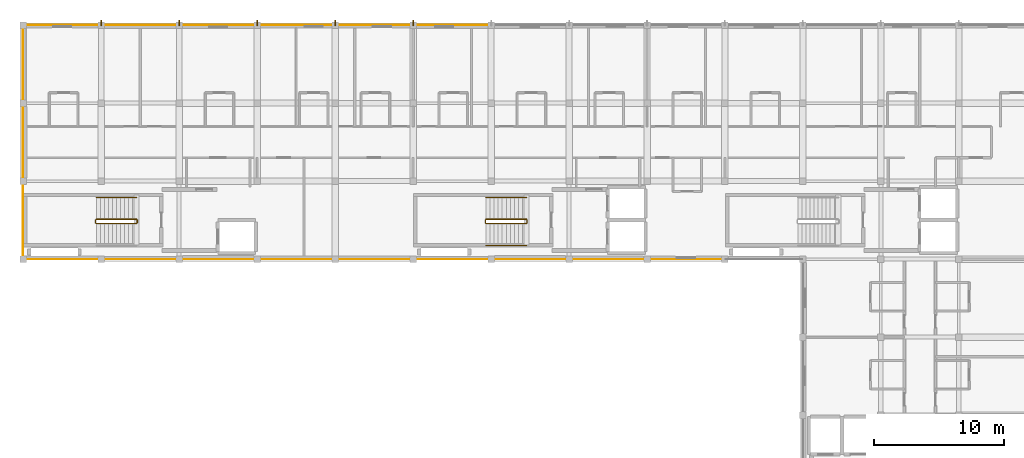
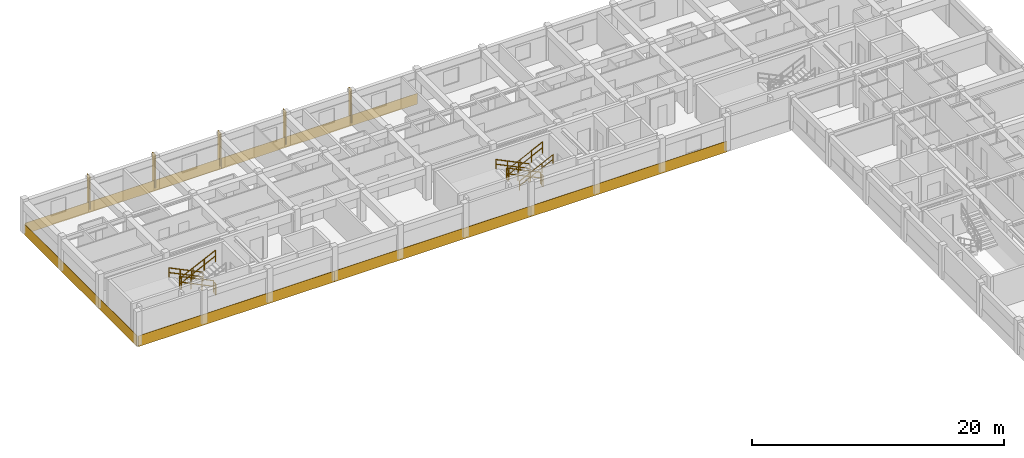
# One storey, part 14 of 15: 11 railings, 6 coverings, 5 shading devices.
"""IFC4 building model written with IfcOpenShell, lengths in metres."""

from ifc_helpers import new_model, si_unit, direction, frame, origin, origin_2d, place, context, subcontext, project, spatial, polyline, rectangle, circle, outline, extrude, material, layer, layer_set, type_object, element, save


model = new_model("IFC4")

# Units and contexts
model_context = context("Model", 3, precision=1e-05, world=origin(), true_north=direction((0.0, 1.0)))
body_context = subcontext(model_context, "Body", "Model", "MODEL_VIEW")
ifc_project = project(units=[si_unit("LENGTHUNIT", "METRE"), si_unit("AREAUNIT", "SQUARE_METRE"), si_unit("VOLUMEUNIT", "CUBIC_METRE"), si_unit("PLANEANGLEUNIT", "RADIAN"), si_unit("MASSUNIT", "GRAM", prefix="KILO"), si_unit("THERMODYNAMICTEMPERATUREUNIT", "KELVIN"), si_unit("POWERUNIT", "WATT")], contexts=[model_context])

# Site, building, storey
site_placement = place(None, origin())
site = spatial("IfcSite", under=ifc_project, at=site_placement, CompositionType="ELEMENT")
building_placement = place(site_placement, origin())
building = spatial("IfcBuilding", under=site, at=building_placement, Name="Phaisarnlok Congress Hotel", CompositionType="ELEMENT")
storey_placement = place(building_placement, frame((0.0, 0.0, 41.39990234375)))
storey = spatial("IfcBuildingStorey", under=building, at=storey_placement, Name="L10", CompositionType="ELEMENT", Elevation=41.39990234375)

# Coverings
ifc_material_1 = material(Name="Anodised Silver Aluminium Alloy 6063-T6", Category="aluminium")
ifc_layer_1 = layer(ifc_material_1, 0.031982421875, Name="Anodised Silver Aluminium Alloy 6063-T6")
ifc_layer_set_1 = layer_set([ifc_layer_1], Name="Anodised Silver Aluminium Alloy 6063-T6")
covering_type = type_object("IfcCoveringType", Name="COV-SPAND-ALU", PredefinedType="CLADDING", material=ifc_layer_set_1)
for number, where, z_axis, x_axis, name in (
    (1, (120.06005859375, 125.9951171875, -0.27978515625), (0.0, 1.0, 0.0), (-1.0, 0.0, 0.0), "Swiss minimalist anodised silver rainscreen band CL-02 (L10 N)"),
    (2, (138.06005859375, 125.9951171875, -0.27978515625), (0.0, 1.0, 0.0), (-1.0, 0.0, 0.0), "Swiss minimalist anodised silver rainscreen band CL-02 (L10 N)"),
    (3, (102.06005859375, 108.0048828125, -0.27978515625), (0.0, -1.0, 0.0), (1.0, 0.0, 0.0), "Swiss minimalist anodised silver rainscreen band CL-02 (L10 S)"),
    (4, (120.06005859375, 108.0048828125, -0.27978515625), (0.0, -1.0, 0.0), (1.0, 0.0, 0.0), "Swiss minimalist anodised silver rainscreen band CL-02 (L10 S)"),
    (5, (138.06005859375, 108.0048828125, -0.27978515625), (0.0, -1.0, 0.0), (1.0, 0.0, 0.0), "Swiss minimalist anodised silver rainscreen band CL-02 (L10 S)"),
):
    element("IfcCovering", number, at=place(storey_placement, frame(where, z_axis=z_axis, x_axis=x_axis)), inside=storey, type_object=covering_type, Name=name, PredefinedType="CLADDING", context=body_context, shape_type="SweptSolid", body=[
        extrude(outline(polyline([(0.0, 0.0), (18.0, 0.0), (18.0, 1.0498046875), (0.0, 1.0498046875), (0.0, 0.0)])), origin(), (0.0, 0.0, 1.0), 0.031982421875),
    ])
covering_placement = place(storey_placement, frame((102.0048828125, 125.93994140625, -0.27978515625), z_axis=(-1.0, 0.0, 0.0), x_axis=(0.0, -1.0, 0.0)))
element("IfcCovering", 6, at=covering_placement, inside=storey, type_object=covering_type, Name="Swiss minimalist anodised silver rainscreen band CL-02 (L10 WG)", PredefinedType="CLADDING", context=body_context, shape_type="SweptSolid", body=[
    extrude(outline(polyline([(0.0, 0.0), (17.8798828125, 0.0), (17.8798828125, 1.0498046875), (0.0, 1.0498046875), (0.0, 0.0)])), origin(), (0.0, 0.0, 1.0), 0.031982421875),
])

# Railings
ifc_material_2 = material(Name="Painted Galvanised Steel S275", Category="steel")
railing_type_1 = type_object("IfcRailingType", Name="RLG-STR-GUARD", PredefinedType="BALUSTRADE", material=ifc_material_2)
railing_1_placement = place(storey_placement, frame((140.719970703125, 111.070068359375, 0.150146484375)))
element("IfcRailing", 7, at=railing_1_placement, inside=storey, type_object=railing_type_1, Name="L10 ST-06 stair guard 1", PredefinedType="BALUSTRADE", context=body_context, shape_type="SweptSolid", body=[
    extrude(circle(Radius=0.02392578125, at=origin_2d()), frame((0.0, 0.0, 1.076171875), z_axis=(-0.900151181449, 0.0, 0.435577605641), x_axis=(0.0, -1.0, 0.0)), (0.0, 0.0, 1.0), 3.443603515625),
    extrude(circle(Radius=0.02392578125, at=origin_2d()), frame((0.0, 0.0, 0.52587890625), z_axis=(-0.900151181449, 0.0, 0.435577605641), x_axis=(0.0, -1.0, 0.0)), (0.0, 0.0, 1.0), 3.443603515625),
    extrude(circle(Radius=0.02099609375, at=origin_2d()), origin(), (0.0, 0.0, 1.0), 1.052001953125),
    extrude(circle(Radius=0.02099609375, at=origin_2d()), frame((-1.033203125, 0.0, 0.5)), (0.0, 0.0, 1.0), 1.052001953125),
    extrude(circle(Radius=0.02099609375, at=origin_2d()), frame((-2.066650390625, 0.0, 1.0)), (0.0, 0.0, 1.0), 1.052001953125),
    extrude(circle(Radius=0.02099609375, at=origin_2d()), frame((-3.099853515625, 0.0, 1.5)), (0.0, 0.0, 1.0), 1.052001953125),
])
railing_2_placement = place(storey_placement, frame((137.570068359375, 111.02001953125, 1.650146484375)))
element("IfcRailing", 8, at=railing_2_placement, inside=storey, type_object=railing_type_1, Name="L10 ST-06 stair guard 2", PredefinedType="BALUSTRADE", context=body_context, shape_type="SweptSolid", body=[
    extrude(circle(Radius=0.02392578125, at=origin_2d()), frame((0.0, 0.0, 1.076171875), z_axis=(0.0, -1.0, 0.0), x_axis=(1.0, 0.0, 0.0)), (0.0, 0.0, 1.0), 0.239990234375),
    extrude(circle(Radius=0.02392578125, at=origin_2d()), frame((0.0, 0.0, 0.52587890625), z_axis=(0.0, -1.0, 0.0), x_axis=(1.0, 0.0, 0.0)), (0.0, 0.0, 1.0), 0.239990234375),
    extrude(circle(Radius=0.02099609375, at=origin_2d()), origin(), (0.0, 0.0, 1.0), 1.052001953125),
    extrude(circle(Radius=0.02099609375, at=origin_2d()), frame((0.0, -0.239990234375, 0.0)), (0.0, 0.0, 1.0), 1.052001953125),
])
railing_3_placement = place(storey_placement, frame((137.6201171875, 110.72998046875, 1.800048828125)))
element("IfcRailing", 9, at=railing_3_placement, inside=storey, type_object=railing_type_1, Name="L10 ST-06 stair guard 3", PredefinedType="BALUSTRADE", context=body_context, shape_type="SweptSolid", body=[
    extrude(circle(Radius=0.02392578125, at=origin_2d()), frame((0.0, 0.0, 1.076171875), z_axis=(0.900151181449, 0.0, 0.435577605641), x_axis=(0.0, 1.0, 0.0)), (0.0, 0.0, 1.0), 3.443603515625),
    extrude(circle(Radius=0.02392578125, at=origin_2d()), frame((0.0, 0.0, 0.52587890625), z_axis=(0.900151181449, 0.0, 0.435577605641), x_axis=(0.0, 1.0, 0.0)), (0.0, 0.0, 1.0), 3.443603515625),
    extrude(circle(Radius=0.02099609375, at=origin_2d()), origin(), (0.0, 0.0, 1.0), 1.052001953125),
    extrude(circle(Radius=0.02099609375, at=origin_2d()), frame((1.033203125, 0.0, 0.5)), (0.0, 0.0, 1.0), 1.052001953125),
    extrude(circle(Radius=0.02099609375, at=origin_2d()), frame((2.066650390625, 0.0, 1.0)), (0.0, 0.0, 1.0), 1.052001953125),
    extrude(circle(Radius=0.02099609375, at=origin_2d()), frame((3.099853515625, 0.0, 1.5)), (0.0, 0.0, 1.0), 1.052001953125),
])
railing_4_placement = place(storey_placement, frame((140.77001953125, 111.02001953125, 0.0)))
element("IfcRailing", 10, at=railing_4_placement, inside=storey, type_object=railing_type_1, Name="L10 ST-06 stair guard 4", PredefinedType="BALUSTRADE", context=body_context, shape_type="SweptSolid", body=[
    extrude(circle(Radius=0.02392578125, at=origin_2d()), frame((0.0, 0.0, 1.076171875), z_axis=(0.0, -1.0, 0.0), x_axis=(1.0, 0.0, 0.0)), (0.0, 0.0, 1.0), 0.239990234375),
    extrude(circle(Radius=0.02392578125, at=origin_2d()), frame((0.0, 0.0, 0.52587890625), z_axis=(0.0, -1.0, 0.0), x_axis=(1.0, 0.0, 0.0)), (0.0, 0.0, 1.0), 0.239990234375),
    extrude(circle(Radius=0.02099609375, at=origin_2d()), origin(), (0.0, 0.0, 1.0), 1.052001953125),
    extrude(circle(Radius=0.02099609375, at=origin_2d()), frame((0.0, -0.239990234375, 0.0)), (0.0, 0.0, 1.0), 1.052001953125),
])
railing_5_placement = place(storey_placement, frame((110.719970703125, 111.070068359375, 0.150146484375)))
element("IfcRailing", 11, at=railing_5_placement, inside=storey, type_object=railing_type_1, Name="L10 ST-07 stair guard 1", PredefinedType="BALUSTRADE", context=body_context, shape_type="SweptSolid", body=[
    extrude(circle(Radius=0.02392578125, at=origin_2d()), frame((0.0, 0.0, 1.076171875), z_axis=(-0.900151181449, 0.0, 0.435577605641), x_axis=(0.0, -1.0, 0.0)), (0.0, 0.0, 1.0), 3.443603515625),
    extrude(circle(Radius=0.02392578125, at=origin_2d()), frame((0.0, 0.0, 0.52587890625), z_axis=(-0.900151181449, 0.0, 0.435577605641), x_axis=(0.0, -1.0, 0.0)), (0.0, 0.0, 1.0), 3.443603515625),
    extrude(circle(Radius=0.02099609375, at=origin_2d()), origin(), (0.0, 0.0, 1.0), 1.052001953125),
    extrude(circle(Radius=0.02099609375, at=origin_2d()), frame((-1.033203125, 0.0, 0.5)), (0.0, 0.0, 1.0), 1.052001953125),
    extrude(circle(Radius=0.02099609375, at=origin_2d()), frame((-2.066650390625, 0.0, 1.0)), (0.0, 0.0, 1.0), 1.052001953125),
    extrude(circle(Radius=0.02099609375, at=origin_2d()), frame((-3.099853515625, 0.0, 1.5)), (0.0, 0.0, 1.0), 1.052001953125),
])
railing_6_placement = place(storey_placement, frame((107.570068359375, 111.02001953125, 1.650146484375)))
element("IfcRailing", 12, at=railing_6_placement, inside=storey, type_object=railing_type_1, Name="L10 ST-07 stair guard 2", PredefinedType="BALUSTRADE", context=body_context, shape_type="SweptSolid", body=[
    extrude(circle(Radius=0.02392578125, at=origin_2d()), frame((0.0, 0.0, 1.076171875), z_axis=(0.0, -1.0, 0.0), x_axis=(1.0, 0.0, 0.0)), (0.0, 0.0, 1.0), 0.239990234375),
    extrude(circle(Radius=0.02392578125, at=origin_2d()), frame((0.0, 0.0, 0.52587890625), z_axis=(0.0, -1.0, 0.0), x_axis=(1.0, 0.0, 0.0)), (0.0, 0.0, 1.0), 0.239990234375),
    extrude(circle(Radius=0.02099609375, at=origin_2d()), origin(), (0.0, 0.0, 1.0), 1.052001953125),
    extrude(circle(Radius=0.02099609375, at=origin_2d()), frame((0.0, -0.239990234375, 0.0)), (0.0, 0.0, 1.0), 1.052001953125),
])
railing_7_placement = place(storey_placement, frame((107.6201171875, 110.72998046875, 1.800048828125)))
element("IfcRailing", 13, at=railing_7_placement, inside=storey, type_object=railing_type_1, Name="L10 ST-07 stair guard 3", PredefinedType="BALUSTRADE", context=body_context, shape_type="SweptSolid", body=[
    extrude(circle(Radius=0.02392578125, at=origin_2d()), frame((0.0, 0.0, 1.076171875), z_axis=(0.900151181449, 0.0, 0.435577605641), x_axis=(0.0, 1.0, 0.0)), (0.0, 0.0, 1.0), 3.443603515625),
    extrude(circle(Radius=0.02392578125, at=origin_2d()), frame((0.0, 0.0, 0.52587890625), z_axis=(0.900151181449, 0.0, 0.435577605641), x_axis=(0.0, 1.0, 0.0)), (0.0, 0.0, 1.0), 3.443603515625),
    extrude(circle(Radius=0.02099609375, at=origin_2d()), origin(), (0.0, 0.0, 1.0), 1.052001953125),
    extrude(circle(Radius=0.02099609375, at=origin_2d()), frame((1.033203125, 0.0, 0.5)), (0.0, 0.0, 1.0), 1.052001953125),
    extrude(circle(Radius=0.02099609375, at=origin_2d()), frame((2.066650390625, 0.0, 1.0)), (0.0, 0.0, 1.0), 1.052001953125),
    extrude(circle(Radius=0.02099609375, at=origin_2d()), frame((3.099853515625, 0.0, 1.5)), (0.0, 0.0, 1.0), 1.052001953125),
])
railing_8_placement = place(storey_placement, frame((110.77001953125, 111.02001953125, 0.0)))
element("IfcRailing", 14, at=railing_8_placement, inside=storey, type_object=railing_type_1, Name="L10 ST-07 stair guard 4", PredefinedType="BALUSTRADE", context=body_context, shape_type="SweptSolid", body=[
    extrude(circle(Radius=0.02392578125, at=origin_2d()), frame((0.0, 0.0, 1.076171875), z_axis=(0.0, -1.0, 0.0), x_axis=(1.0, 0.0, 0.0)), (0.0, 0.0, 1.0), 0.239990234375),
    extrude(circle(Radius=0.02392578125, at=origin_2d()), frame((0.0, 0.0, 0.52587890625), z_axis=(0.0, -1.0, 0.0), x_axis=(1.0, 0.0, 0.0)), (0.0, 0.0, 1.0), 0.239990234375),
    extrude(circle(Radius=0.02099609375, at=origin_2d()), origin(), (0.0, 0.0, 1.0), 1.052001953125),
    extrude(circle(Radius=0.02099609375, at=origin_2d()), frame((0.0, -0.239990234375, 0.0)), (0.0, 0.0, 1.0), 1.052001953125),
])
ifc_material_3 = material(Name="Brushed Stainless Steel Grade 304", Category="steel")
railing_type_2 = type_object("IfcRailingType", Name="RLG-STR-HRAIL", PredefinedType="HANDRAIL", material=ifc_material_3)
railing_9_placement = place(storey_placement, frame((140.719970703125, 112.75, 0.150146484375)))
element("IfcRailing", 15, at=railing_9_placement, inside=storey, type_object=railing_type_2, Name="L10 ST-06 stair handrail 1", PredefinedType="HANDRAIL", context=body_context, shape_type="SweptSolid", body=[
    extrude(circle(Radius=0.02392578125, at=origin_2d()), frame((0.0, 0.0, 0.8759765625), z_axis=(-0.900151181449, 0.0, 0.435577605641), x_axis=(0.0, -1.0, 0.0)), (0.0, 0.0, 1.0), 3.443603515625),
    extrude(circle(Radius=0.02392578125, at=origin_2d()), frame((0.0, 0.0, 0.42578125), z_axis=(-0.900151181449, 0.0, 0.435577605641), x_axis=(0.0, -1.0, 0.0)), (0.0, 0.0, 1.0), 3.443603515625),
    extrude(circle(Radius=0.02099609375, at=origin_2d()), origin(), (0.0, 0.0, 1.0), 0.851806640625),
    extrude(circle(Radius=0.02099609375, at=origin_2d()), frame((-1.033203125, 0.0, 0.5)), (0.0, 0.0, 1.0), 0.851806640625),
    extrude(circle(Radius=0.02099609375, at=origin_2d()), frame((-2.066650390625, 0.0, 1.0)), (0.0, 0.0, 1.0), 0.851806640625),
    extrude(circle(Radius=0.02099609375, at=origin_2d()), frame((-3.099853515625, 0.0, 1.5)), (0.0, 0.0, 1.0), 0.851806640625),
])
railing_10_placement = place(storey_placement, frame((137.6201171875, 109.050048828125, 1.800048828125)))
element("IfcRailing", 16, at=railing_10_placement, inside=storey, type_object=railing_type_2, Name="L10 ST-06 stair handrail 2", PredefinedType="HANDRAIL", context=body_context, shape_type="SweptSolid", body=[
    extrude(circle(Radius=0.02392578125, at=origin_2d()), frame((0.0, 0.0, 0.8759765625), z_axis=(0.900151181449, 0.0, 0.435577605641), x_axis=(0.0, 1.0, 0.0)), (0.0, 0.0, 1.0), 3.443603515625),
    extrude(circle(Radius=0.02392578125, at=origin_2d()), frame((0.0, 0.0, 0.42578125), z_axis=(0.900151181449, 0.0, 0.435577605641), x_axis=(0.0, 1.0, 0.0)), (0.0, 0.0, 1.0), 3.443603515625),
    extrude(circle(Radius=0.02099609375, at=origin_2d()), origin(), (0.0, 0.0, 1.0), 0.851806640625),
    extrude(circle(Radius=0.02099609375, at=origin_2d()), frame((1.033203125, 0.0, 0.5)), (0.0, 0.0, 1.0), 0.851806640625),
    extrude(circle(Radius=0.02099609375, at=origin_2d()), frame((2.066650390625, 0.0, 1.0)), (0.0, 0.0, 1.0), 0.851806640625),
    extrude(circle(Radius=0.02099609375, at=origin_2d()), frame((3.099853515625, 0.0, 1.5)), (0.0, 0.0, 1.0), 0.851806640625),
])
railing_11_placement = place(storey_placement, frame((110.719970703125, 112.75, 0.150146484375)))
element("IfcRailing", 17, at=railing_11_placement, inside=storey, type_object=railing_type_2, Name="L10 ST-07 stair handrail 1", PredefinedType="HANDRAIL", context=body_context, shape_type="SweptSolid", body=[
    extrude(circle(Radius=0.02392578125, at=origin_2d()), frame((0.0, 0.0, 0.8759765625), z_axis=(-0.900151181449, 0.0, 0.435577605641), x_axis=(0.0, -1.0, 0.0)), (0.0, 0.0, 1.0), 3.443603515625),
    extrude(circle(Radius=0.02392578125, at=origin_2d()), frame((0.0, 0.0, 0.42578125), z_axis=(-0.900151181449, 0.0, 0.435577605641), x_axis=(0.0, -1.0, 0.0)), (0.0, 0.0, 1.0), 3.443603515625),
    extrude(circle(Radius=0.02099609375, at=origin_2d()), origin(), (0.0, 0.0, 1.0), 0.851806640625),
    extrude(circle(Radius=0.02099609375, at=origin_2d()), frame((-1.033203125, 0.0, 0.5)), (0.0, 0.0, 1.0), 0.851806640625),
    extrude(circle(Radius=0.02099609375, at=origin_2d()), frame((-2.066650390625, 0.0, 1.0)), (0.0, 0.0, 1.0), 0.851806640625),
    extrude(circle(Radius=0.02099609375, at=origin_2d()), frame((-3.099853515625, 0.0, 1.5)), (0.0, 0.0, 1.0), 0.851806640625),
])

# Shading devices
ifc_material_4 = material(Name="Anodised Champagne Aluminium Alloy 6063", Category="aluminium")
ifc_layer_2 = layer(ifc_material_4, 0.050048828125, Name="Anodised Champagne Aluminium Alloy 6063")
ifc_layer_set_2 = layer_set([ifc_layer_2], Name="Anodised Champagne Aluminium Alloy 6063")
shading_device_type = type_object("IfcShadingDeviceType", Name="SHD-FIN-VERT", PredefinedType="SHUTTER", material=ifc_layer_set_2)
for number, where, z_axis, x_axis, name in (
    (18, (108.0, 126.179931640625, 0.0400390625), (0.0, 0.0, 1.0), (1.0, 0.0, 0.0), "Hotel vertical solar fin SF-01 (L10)"),
    (19, (114.0, 126.179931640625, 0.0400390625), (0.0, 0.0, 1.0), (1.0, 0.0, 0.0), "Hotel vertical solar fin SF-01 (L10)"),
    (20, (120.0, 126.179931640625, 0.0400390625), (0.0, 0.0, 1.0), (1.0, 0.0, 0.0), "Hotel vertical solar fin SF-01 (L10)"),
    (21, (126.0, 126.179931640625, 0.0400390625), (0.0, 0.0, 1.0), (1.0, 0.0, 0.0), "Hotel vertical solar fin SF-01 (L10)"),
    (22, (132.0, 126.179931640625, 0.0400390625), (0.0, 0.0, 1.0), (1.0, 0.0, 0.0), "Hotel vertical solar fin SF-01 (L10)"),
):
    element("IfcShadingDevice", number, at=place(storey_placement, frame(where, z_axis=z_axis, x_axis=x_axis)), inside=storey, type_object=shading_device_type, Name=name, PredefinedType="SHUTTER", context=body_context, shape_type="SweptSolid", body=[
        extrude(rectangle(XDim=0.080078125, YDim=0.43994140625, at=origin_2d()), origin(), (0.0, 0.0, 1.0), 3.219970703125),
    ])

save(model, "model.ifc")
